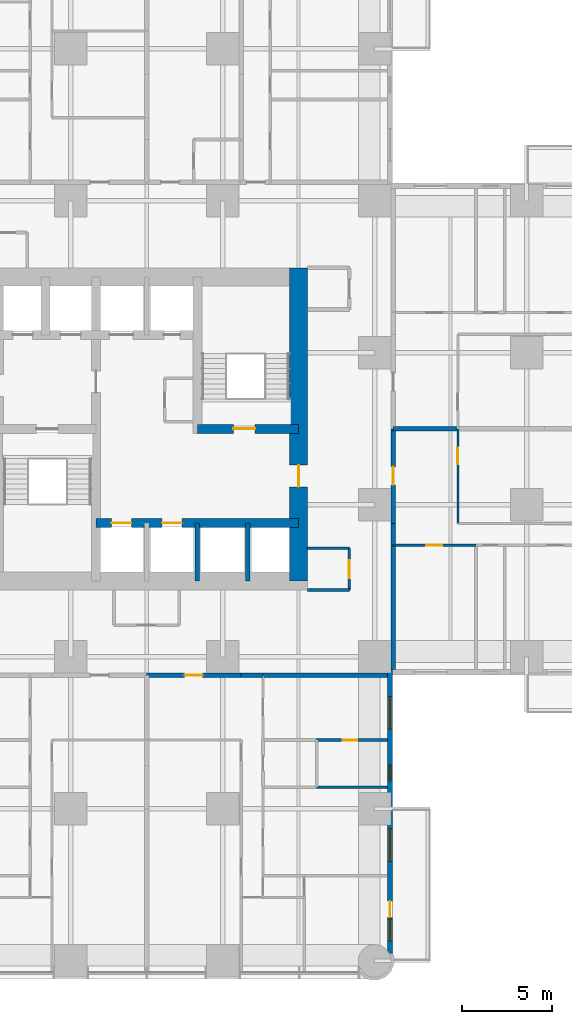
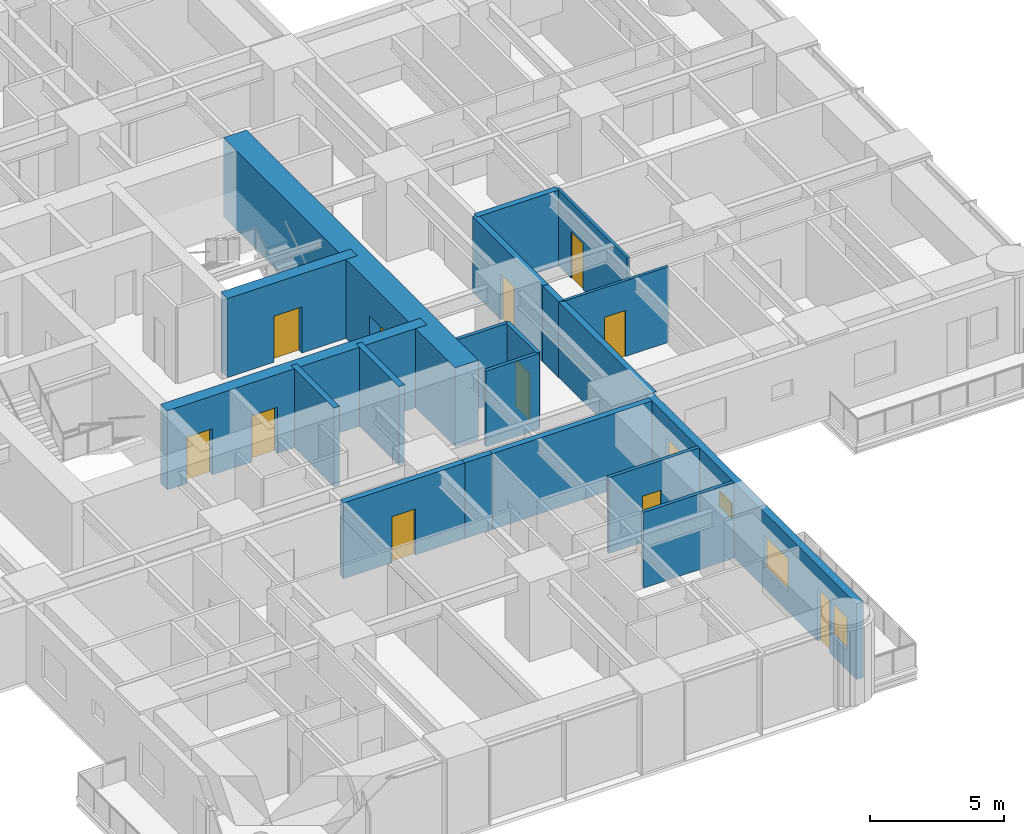
# One storey, part 10 of 17: 20 walls, 11 doors, 4 windows, 15 openings.
"""IFC4 building model written with IfcOpenShell, lengths in metres."""

from ifc_helpers import new_model, si_unit, direction, frame, frame_2d, origin, place, context, subcontext, project, spatial, rectangle, extrude, material, layer, layer_set, type_object, element, fill, save


model = new_model("IFC4")

# Units and contexts
model_context = context("Model", 3, precision=1e-05, world=origin(), true_north=direction((0.0, 1.0)))
body_context = subcontext(model_context, "Body", "Model", "MODEL_VIEW")
ifc_project = project(units=[si_unit("LENGTHUNIT", "METRE"), si_unit("AREAUNIT", "SQUARE_METRE"), si_unit("VOLUMEUNIT", "CUBIC_METRE"), si_unit("PLANEANGLEUNIT", "RADIAN"), si_unit("MASSUNIT", "GRAM", prefix="KILO")], contexts=[model_context])

# Site, building, storey
site_placement = place(None, origin())
site = spatial("IfcSite", under=ifc_project, at=site_placement, CompositionType="ELEMENT")
building_placement = place(site_placement, origin())
building = spatial("IfcBuilding", under=site, at=building_placement, Name="Torre Alcanfor", CompositionType="ELEMENT")
storey_placement = place(building_placement, frame((0.0, 0.0, 66.89990234375)))
storey = spatial("IfcBuildingStorey", under=building, at=storey_placement, Name="L16", CompositionType="ELEMENT", Elevation=66.89990234375)

# Wall, opening, door
ifc_material_1 = material(Name="Concrete block masonry, hollow blocks NMX-C-404 9 MPa", Category="masonry")
ifc_layer_1 = layer(ifc_material_1, 0.25)
ifc_layer_set_1 = layer_set([ifc_layer_1], Name="Apartment entrance wall 250 EI 60")
wall_type_1 = type_object("IfcWallType", Name="Apartment entrance wall 250 EI 60", PredefinedType="PARTITIONING", material=ifc_layer_set_1)
wall_1_placement = place(storey_placement, frame((43.02490234375, 29.39990234375, 0.0), z_axis=(0.0, 0.0, 1.0), x_axis=(0.0, -1.0, 0.0)))
wall_1 = element("IfcWall", 1, at=wall_1_placement, inside=storey, type_object=wall_type_1, Name="Partition L16-CORR / L16-E2-ZAG", PredefinedType="PARTITIONING", context=body_context, shape_type="SweptSolid", body=[
    extrude(rectangle(XDim=5.22900390625, YDim=0.25, at=frame_2d((2.614501953125, 0.0))), origin(), (0.0, 0.0, 1.0), 3.4501953125),
])
opening_1_placement = place(wall_1_placement, frame((2.10009765625, 0.0, 0.0)))
opening_1 = element("IfcOpeningElement", 2, at=opening_1_placement, cuts=wall_1, Name="Opening D-A1", PredefinedType="OPENING", context=body_context, shape_type="SweptSolid", body=[
    extrude(rectangle(XDim=1.0, YDim=2.10009765625, at=frame_2d((0.5, 1.050048828125))), frame((0.0, 0.135009765625, 0.0), z_axis=(0.0, -1.0, 0.0), x_axis=(1.0, 0.0, 0.0)), (0.0, 0.0, 1.0), 0.27001953125),
])
ifc_material_2 = material(Name="Galvanised steel sheet ASTM A653", Category="steel")
door_type_1 = type_object("IfcDoorType", Name="Apartment entrance door FD60 1000x2100", OperationType="SINGLE_SWING_LEFT", PredefinedType="DOOR", material=ifc_material_2)
door_1_placement = place(opening_1_placement, origin())
door_1 = element("IfcDoor", 3, at=door_1_placement, inside=storey, type_object=door_type_1, Name="Apartment entrance L16-E2", OperationType="SINGLE_SWING_LEFT", OverallHeight=2.10009765625, OverallWidth=1.0, PredefinedType="DOOR", context=body_context, shape_type="SweptSolid", body=[
    extrude(rectangle(XDim=1.0, YDim=2.10009765625, at=frame_2d((0.5, 1.050048828125))), frame((0.0, 0.02490234375, 0.0), z_axis=(0.0, -1.0, 0.0), x_axis=(1.0, 0.0, 0.0)), (0.0, 0.0, 1.0), 0.050048828125),
])
fill(opening_1, door_1)

# Walls
wall_2_placement = place(storey_placement, frame((43.02490234375, 24.1708984375, 0.0), z_axis=(0.0, 0.0, 1.0), x_axis=(0.0, -1.0, 0.0)))
element("IfcWall", 4, at=wall_2_placement, inside=storey, type_object=wall_type_1, Name="Partition L16-CORR / L16-E2-HALL", PredefinedType="PARTITIONING", context=body_context, shape_type="SweptSolid", body=[
    extrude(rectangle(XDim=1.199951171875, YDim=0.25, at=frame_2d((0.60009765625, 0.0))), origin(), (0.0, 0.0, 1.0), 3.4501953125),
])
wall_3_placement = place(storey_placement, frame((43.02490234375, 22.970947265625, 0.0), z_axis=(0.0, 0.0, 1.0), x_axis=(0.0, -1.0, 0.0)))
element("IfcWall", 5, at=wall_3_placement, inside=storey, type_object=wall_type_1, Name="Partition L16-CORR / L16-E2-BED3", PredefinedType="PARTITIONING", context=body_context, shape_type="SweptSolid", body=[
    extrude(rectangle(XDim=6.870849609375, YDim=0.25, at=frame_2d((3.435546875, 0.0))), origin(), (0.0, 0.0, 1.0), 3.4501953125),
])

# Wall, opening, door
wall_4_placement = place(storey_placement, frame((34.62890625, 15.77490234375, 0.0), z_axis=(0.0, 0.0, 1.0), x_axis=(-1.0, 0.0, 0.0)))
wall_4 = element("IfcWall", 6, at=wall_4_placement, inside=storey, type_object=wall_type_1, Name="Partition L16-CORR / L16-S1-ZAG", PredefinedType="PARTITIONING", context=body_context, shape_type="SweptSolid", body=[
    extrude(rectangle(XDim=5.22900390625, YDim=0.25, at=frame_2d((2.614501953125, 0.0))), origin(), (0.0, 0.0, 1.0), 3.4501953125),
])
opening_2_placement = place(wall_4_placement, frame((2.12890625, 0.0, 0.0)))
opening_2 = element("IfcOpeningElement", 7, at=opening_2_placement, cuts=wall_4, Name="Opening D-A1", PredefinedType="OPENING", context=body_context, shape_type="SweptSolid", body=[
    extrude(rectangle(XDim=1.0, YDim=2.10009765625, at=frame_2d((0.5, 1.050048828125))), frame((0.0, 0.135009765625, 0.0), z_axis=(0.0, -1.0, 0.0), x_axis=(1.0, 0.0, 0.0)), (0.0, 0.0, 1.0), 0.27001953125),
])
door_2_placement = place(opening_2_placement, origin())
door_2 = element("IfcDoor", 8, at=door_2_placement, inside=storey, type_object=door_type_1, Name="Apartment entrance L16-S1", OperationType="SINGLE_SWING_RIGHT", OverallHeight=2.10009765625, OverallWidth=1.0, PredefinedType="DOOR", context=body_context, shape_type="SweptSolid", body=[
    extrude(rectangle(XDim=1.0, YDim=2.10009765625, at=frame_2d((0.5, 1.050048828125))), frame((0.0, 0.02490234375, 0.0), z_axis=(0.0, -1.0, 0.0), x_axis=(1.0, 0.0, 0.0)), (0.0, 0.0, 1.0), 0.050048828125),
])
fill(opening_2, door_2)

# Walls
wall_5_placement = place(storey_placement, frame((35.8291015625, 15.77490234375, 0.0), z_axis=(0.0, 0.0, 1.0), x_axis=(-1.0, 0.0, 0.0)))
element("IfcWall", 9, at=wall_5_placement, inside=storey, type_object=wall_type_1, Name="Partition L16-CORR / L16-S1-HALL", PredefinedType="PARTITIONING", context=body_context, shape_type="SweptSolid", body=[
    extrude(rectangle(XDim=1.2001953125, YDim=0.25, at=frame_2d((0.60009765625, 0.0))), origin(), (0.0, 0.0, 1.0), 3.4501953125),
])
wall_6_placement = place(storey_placement, frame((42.699951171875, 15.77490234375, 0.0), z_axis=(0.0, 0.0, 1.0), x_axis=(-1.0, 0.0, 0.0)))
element("IfcWall", 10, at=wall_6_placement, inside=storey, type_object=wall_type_1, Name="Partition L16-CORR / L16-S1-SERV", PredefinedType="PARTITIONING", context=body_context, shape_type="SweptSolid", body=[
    extrude(rectangle(XDim=6.870849609375, YDim=0.25, at=frame_2d((3.435546875, 0.0))), origin(), (0.0, 0.0, 1.0), 3.4501953125),
])

# Wall, opening, door
ifc_material_3 = material(Name="Gypsum board on steel studs", Category="steel")
ifc_layer_2 = layer(ifc_material_3, 0.1201171875)
ifc_layer_set_2 = layer_set([ifc_layer_2], Name="Apartment partition 120")
wall_type_2 = type_object("IfcWallType", Name="Apartment partition 120", PredefinedType="PARTITIONING", material=ifc_layer_set_2)
wall_7_placement = place(storey_placement, frame((46.60009765625, 29.39990234375, 0.0), z_axis=(0.0, 0.0, 1.0), x_axis=(0.0, -1.0, 0.0)))
wall_7 = element("IfcWall", 11, at=wall_7_placement, inside=storey, type_object=wall_type_2, Name="Partition L16-E2-ZAG / L16-E2-KITCHEN", PredefinedType="PARTITIONING", context=body_context, shape_type="SweptSolid", body=[
    extrude(rectangle(XDim=5.22900390625, YDim=0.1201171875, at=frame_2d((2.614501953125, 0.0))), origin(), (0.0, 0.0, 1.0), 3.4501953125),
])
opening_3_placement = place(wall_7_placement, frame((1.050048828125, 0.0, 0.0)))
opening_3 = element("IfcOpeningElement", 12, at=opening_3_placement, cuts=wall_7, Name="Opening D-R1", PredefinedType="OPENING", context=body_context, shape_type="SweptSolid", body=[
    extrude(rectangle(XDim=0.89990234375, YDim=2.10009765625, at=frame_2d((0.449951171875, 1.050048828125))), frame((0.0, 0.070068359375, 0.0), z_axis=(0.0, -1.0, 0.0), x_axis=(1.0, 0.0, 0.0)), (0.0, 0.0, 1.0), 0.14013671875),
])
ifc_material_4 = material(Name="Timber", Category="wood")
door_type_2 = type_object("IfcDoorType", Name="Internal door 900x2100", OperationType="SINGLE_SWING_LEFT", PredefinedType="DOOR", material=ifc_material_4)
door_3_placement = place(opening_3_placement, origin())
door_3 = element("IfcDoor", 13, at=door_3_placement, inside=storey, type_object=door_type_2, Name="Door L16-E2 kitchen", OperationType="SINGLE_SWING_LEFT", OverallHeight=2.10009765625, OverallWidth=0.89990234375, PredefinedType="DOOR", context=body_context, shape_type="SweptSolid", body=[
    extrude(rectangle(XDim=0.89990234375, YDim=2.10009765625, at=frame_2d((0.449951171875, 1.050048828125))), frame((0.0, 0.02490234375, 0.0), z_axis=(0.0, -1.0, 0.0), x_axis=(1.0, 0.0, 0.0)), (0.0, 0.0, 1.0), 0.050048828125),
])
fill(opening_3, door_3)

wall_8_placement = place(storey_placement, frame((47.60009765625, 22.970947265625, 0.0), z_axis=(0.0, 0.0, 1.0), x_axis=(-1.0, 0.0, 0.0)))
wall_8 = element("IfcWall", 14, at=wall_8_placement, inside=storey, type_object=wall_type_2, Name="Partition L16-E2-HALL / L16-E2-BED3", PredefinedType="PARTITIONING", context=body_context, shape_type="SweptSolid", body=[
    extrude(rectangle(XDim=4.5751953125, YDim=0.1201171875, at=frame_2d((2.28759765625, 0.0))), origin(), (0.0, 0.0, 1.0), 3.4501953125),
])
opening_4_placement = place(wall_8_placement, frame((1.85009765625, 0.0, 0.0)))
opening_4 = element("IfcOpeningElement", 15, at=opening_4_placement, cuts=wall_8, Name="Opening D-R1", PredefinedType="OPENING", context=body_context, shape_type="SweptSolid", body=[
    extrude(rectangle(XDim=0.89990234375, YDim=2.10009765625, at=frame_2d((0.449951171875, 1.050048828125))), frame((0.0, 0.070068359375, 0.0), z_axis=(0.0, -1.0, 0.0), x_axis=(1.0, 0.0, 0.0)), (0.0, 0.0, 1.0), 0.14013671875),
])
door_4_placement = place(opening_4_placement, origin())
door_4 = element("IfcDoor", 16, at=door_4_placement, inside=storey, type_object=door_type_2, Name="Door L16-E2 bed3", OperationType="SINGLE_SWING_RIGHT", OverallHeight=2.10009765625, OverallWidth=0.89990234375, PredefinedType="DOOR", context=body_context, shape_type="SweptSolid", body=[
    extrude(rectangle(XDim=0.89990234375, YDim=2.10009765625, at=frame_2d((0.449951171875, 1.050048828125))), frame((0.0, 0.02490234375, 0.0), z_axis=(0.0, -1.0, 0.0), x_axis=(1.0, 0.0, 0.0)), (0.0, 0.0, 1.0), 0.050048828125),
])
fill(opening_4, door_4)

# Wall, openings, doors
ifc_material_5 = material(Name="Concrete f'c 70 MPa", Category="concrete")
ifc_layer_3 = layer(ifc_material_5, 0.5)
ifc_layer_set_3 = layer_set([ifc_layer_3], Name="Core inner wall 500 f'c70")
wall_type_3 = type_object("IfcWallType", Name="Core inner wall 500 f'c70", PredefinedType="SHEAR", material=ifc_layer_set_3)
wall_9_placement = place(storey_placement, frame((26.60009765625, 24.199951171875, 0.0), z_axis=(0.0, 0.0, 1.0), x_axis=(1.0, 0.0, 0.0)))
wall_9 = element("IfcWall", 17, at=wall_9_placement, inside=storey, type_object=wall_type_3, Name="Core wall Y242 L16", PredefinedType="SHEAR", context=body_context, shape_type="SweptSolid", body=[
    extrude(rectangle(XDim=11.199951171875, YDim=0.5, at=frame_2d((5.60009765625, 0.0))), origin(), (0.0, 0.0, 1.0), 3.60009765625),
])
opening_5_placement = place(wall_9_placement, frame((0.85009765625, 0.0, 0.0)))
opening_5 = element("IfcOpeningElement", 18, at=opening_5_placement, cuts=wall_9, Name="Opening LD1", PredefinedType="OPENING", context=body_context, shape_type="SweptSolid", body=[
    extrude(rectangle(XDim=1.10009765625, YDim=2.10009765625, at=frame_2d((0.550048828125, 1.050048828125))), frame((0.0, 0.260009765625, 0.0), z_axis=(0.0, -1.0, 0.0), x_axis=(1.0, 0.0, 0.0)), (0.0, 0.0, 1.0), 0.52001953125),
])
opening_6_placement = place(wall_9_placement, frame((3.64990234375, 0.0, 0.0)))
opening_6 = element("IfcOpeningElement", 19, at=opening_6_placement, cuts=wall_9, Name="Opening LD1", PredefinedType="OPENING", context=body_context, shape_type="SweptSolid", body=[
    extrude(rectangle(XDim=1.10009765625, YDim=2.10009765625, at=frame_2d((0.550048828125, 1.050048828125))), frame((0.0, 0.260009765625, 0.0), z_axis=(0.0, -1.0, 0.0), x_axis=(1.0, 0.0, 0.0)), (0.0, 0.0, 1.0), 0.52001953125),
])
ifc_material_6 = material(Name="Galvanised steel sheet ASTM A653", Category="steel")
door_type_3 = type_object("IfcDoorType", Name="Lift landing door 1100x2100", OperationType="DOUBLE_DOOR_SLIDING", PredefinedType="DOOR", material=ifc_material_6)
door_5_placement = place(opening_5_placement, origin())
door_5 = element("IfcDoor", 20, at=door_5_placement, inside=storey, type_object=door_type_3, Name="Lift landing door PA1 L16", OperationType="DOUBLE_DOOR_SLIDING", OverallHeight=2.10009765625, OverallWidth=1.10009765625, PredefinedType="DOOR", context=body_context, shape_type="SweptSolid", body=[
    extrude(rectangle(XDim=1.10009765625, YDim=2.10009765625, at=frame_2d((0.550048828125, 1.050048828125))), frame((0.0, 0.02490234375, 0.0), z_axis=(0.0, -1.0, 0.0), x_axis=(1.0, 0.0, 0.0)), (0.0, 0.0, 1.0), 0.050048828125),
])
fill(opening_5, door_5)
door_6_placement = place(opening_6_placement, origin())
door_6 = element("IfcDoor", 21, at=door_6_placement, inside=storey, type_object=door_type_3, Name="Lift landing door PA2 L16", OperationType="DOUBLE_DOOR_SLIDING", OverallHeight=2.10009765625, OverallWidth=1.10009765625, PredefinedType="DOOR", context=body_context, shape_type="SweptSolid", body=[
    extrude(rectangle(XDim=1.10009765625, YDim=2.10009765625, at=frame_2d((0.550048828125, 1.050048828125))), frame((0.0, 0.02490234375, 0.0), z_axis=(0.0, -1.0, 0.0), x_axis=(1.0, 0.0, 0.0)), (0.0, 0.0, 1.0), 0.050048828125),
])
fill(opening_6, door_6)

# Wall, opening, door
wall_10_placement = place(storey_placement, frame((32.199951171875, 29.39990234375, 0.0), z_axis=(0.0, 0.0, 1.0), x_axis=(1.0, 0.0, 0.0)))
wall_10 = element("IfcWall", 22, at=wall_10_placement, inside=storey, type_object=wall_type_3, Name="Core wall Y294E L16", PredefinedType="SHEAR", context=body_context, shape_type="SweptSolid", body=[
    extrude(rectangle(XDim=5.60009765625, YDim=0.5, at=frame_2d((2.800048828125, 0.0))), origin(), (0.0, 0.0, 1.0), 3.60009765625),
])
opening_7_placement = place(wall_10_placement, frame((2.0, 0.0, 0.0)))
opening_7 = element("IfcOpeningElement", 23, at=opening_7_placement, cuts=wall_10, Name="Opening D-S2", PredefinedType="OPENING", context=body_context, shape_type="SweptSolid", body=[
    extrude(rectangle(XDim=1.199951171875, YDim=2.10009765625, at=frame_2d((0.60009765625, 1.050048828125))), frame((0.0, 0.260009765625, 0.0), z_axis=(0.0, -1.0, 0.0), x_axis=(1.0, 0.0, 0.0)), (0.0, 0.0, 1.0), 0.52001953125),
])
ifc_material_7 = material(Name="Galvanised steel sheet ASTM A653", Category="steel")
door_type_4 = type_object("IfcDoorType", Name="Stair enclosure door FD120 1200x2100", OperationType="SINGLE_SWING_LEFT", PredefinedType="DOOR", material=ifc_material_7)
door_7_placement = place(opening_7_placement, origin())
door_7 = element("IfcDoor", 24, at=door_7_placement, inside=storey, type_object=door_type_4, Name="Stair S2 door L16", OperationType="SINGLE_SWING_LEFT", OverallHeight=2.10009765625, OverallWidth=1.199951171875, PredefinedType="DOOR", context=body_context, shape_type="SweptSolid", body=[
    extrude(rectangle(XDim=1.199951171875, YDim=2.10009765625, at=frame_2d((0.60009765625, 1.050048828125))), frame((0.0, 0.02490234375, 0.0), z_axis=(0.0, -1.0, 0.0), x_axis=(1.0, 0.0, 0.0)), (0.0, 0.0, 1.0), 0.050048828125),
])
fill(opening_7, door_7)

# Walls
ifc_material_8 = material(Name="Concrete f'c 70 MPa", Category="concrete")
ifc_layer_4 = layer(ifc_material_8, 0.25)
ifc_layer_set_4 = layer_set([ifc_layer_4], Name="Core shaft wall 250 f'c70")
wall_type_4 = type_object("IfcWallType", Name="Core shaft wall 250 f'c70", PredefinedType="SHEAR", material=ifc_layer_set_4)
for number, where, z_axis, x_axis, name in (
    (25, (32.199951171875, 21.0, 0.0), (0.0, 0.0, 1.0), (0.0, 1.0, 0.0), "Core wall X322S L16"),
    (26, (35.0, 21.0, 0.0), (0.0, 0.0, 1.0), (0.0, 1.0, 0.0), "Core wall X350S L16"),
):
    element("IfcWall", number, at=place(storey_placement, frame(where, z_axis=z_axis, x_axis=x_axis)), inside=storey, type_object=wall_type_4, Name=name, PredefinedType="SHEAR", context=body_context, shape_type="SweptSolid", body=[
        extrude(rectangle(XDim=3.199951171875, YDim=0.25, at=frame_2d((1.60009765625, 0.0))), origin(), (0.0, 0.0, 1.0), 3.60009765625),
    ])

# Wall, opening, door
ifc_material_9 = material(Name="Concrete f'c 70 MPa", Category="concrete")
ifc_layer_5 = layer(ifc_material_9, 1.0)
ifc_layer_set_5 = layer_set([ifc_layer_5], Name="Core wall 1000 f'c70")
wall_type_5 = type_object("IfcWallType", Name="Core wall 1000 f'c70", PredefinedType="SHEAR", material=ifc_layer_set_5)
wall_11_placement = place(storey_placement, frame((37.800048828125, 21.0, 0.0), z_axis=(0.0, 0.0, 1.0), x_axis=(0.0, 1.0, 0.0)))
wall_11 = element("IfcWall", 27, at=wall_11_placement, inside=storey, type_object=wall_type_5, Name="Core wall OUT-E L16", PredefinedType="SHEAR", context=body_context, shape_type="SweptSolid", body=[
    extrude(rectangle(XDim=17.300048828125, YDim=1.0, at=frame_2d((8.64990234375, 0.0))), origin(), (0.0, 0.0, 1.0), 3.60009765625),
])
opening_8_placement = place(wall_11_placement, frame((5.199951171875, 0.0, 0.0)))
opening_8 = element("IfcOpeningElement", 28, at=opening_8_placement, cuts=wall_11, Name="Opening D-L1", PredefinedType="OPENING", context=body_context, shape_type="SweptSolid", body=[
    extrude(rectangle(XDim=1.199951171875, YDim=2.10009765625, at=frame_2d((0.60009765625, 1.050048828125))), frame((0.0, 0.510009765625, 0.0), z_axis=(0.0, -1.0, 0.0), x_axis=(1.0, 0.0, 0.0)), (0.0, 0.0, 1.0), 1.02001953125),
])
ifc_material_10 = material(Name="Galvanised steel sheet ASTM A653", Category="steel")
door_type_5 = type_object("IfcDoorType", Name="Lobby door FD120 1200x2100", OperationType="SINGLE_SWING_LEFT", PredefinedType="DOOR", material=ifc_material_10)
door_8_placement = place(opening_8_placement, origin())
door_8 = element("IfcDoor", 29, at=door_8_placement, inside=storey, type_object=door_type_5, Name="Lift lobby entrance door L16", OperationType="SINGLE_SWING_LEFT", OverallHeight=2.10009765625, OverallWidth=1.199951171875, PredefinedType="DOOR", context=body_context, shape_type="SweptSolid", body=[
    extrude(rectangle(XDim=1.199951171875, YDim=2.10009765625, at=frame_2d((0.60009765625, 1.050048828125))), frame((0.0, 0.02490234375, 0.0), z_axis=(0.0, -1.0, 0.0), x_axis=(1.0, 0.0, 0.0)), (0.0, 0.0, 1.0), 0.050048828125),
])
fill(opening_8, door_8)

# Wall, openings, door, windows
ifc_material_11 = material(Name="Limestone cladding", Category="masonry")
ifc_layer_6 = layer(ifc_material_11, 0.0400390625, Name="Facing")
ifc_material_12 = material(Name="Ventilated air cavity")
ifc_layer_7 = layer(ifc_material_12, 0.02001953125, ventilated=True, Name="Ventilated joint")
ifc_material_13 = material(Name="Mineral wool insulation", Category="insulation")
ifc_layer_8 = layer(ifc_material_13, 0.10009765625, Name="Insulation")
ifc_material_14 = material(Name="Concrete f'c 35 MPa", Category="concrete")
ifc_layer_9 = layer(ifc_material_14, 0.139892578125, Name="Backing")
ifc_layer_set_6 = layer_set([ifc_layer_6, ifc_layer_7, ifc_layer_8, ifc_layer_9], Name="External wall stone-clad 300")
wall_type_6 = type_object("IfcWallType", Name="External wall stone-clad 300", PredefinedType="SOLIDWALL", material=ifc_layer_set_6)
wall_12_placement = place(storey_placement, frame((42.85009765625, 0.39990234375, 0.0), z_axis=(0.0, 0.0, 1.0), x_axis=(0.0, 1.0, 0.0)))
wall_12 = element("IfcWall", 30, at=wall_12_placement, inside=storey, type_object=wall_type_6, Name="External wall L16 6", PredefinedType="SOLIDWALL", context=body_context, shape_type="SweptSolid", body=[
    extrude(rectangle(XDim=15.7001953125, YDim=0.300048828125, at=frame_2d((7.85009765625, 0.0))), origin(), (0.0, 0.0, 1.0), 3.4501953125),
])
opening_9_placement = place(wall_12_placement, frame((12.39990234375, 0.0, 0.89990234375)))
opening_9 = element("IfcOpeningElement", 31, at=opening_9_placement, cuts=wall_12, Name="Opening W2", PredefinedType="OPENING", context=body_context, shape_type="SweptSolid", body=[
    extrude(rectangle(XDim=1.800048828125, YDim=1.5, at=frame_2d((0.89990234375, 0.75))), frame((0.0, 0.159912109375, 0.0), z_axis=(0.0, -1.0, 0.0), x_axis=(1.0, 0.0, 0.0)), (0.0, 0.0, 1.0), 0.320068359375),
])
opening_10_placement = place(wall_12_placement, frame((9.550048828125, 0.0, 1.5)))
opening_10 = element("IfcOpeningElement", 32, at=opening_10_placement, cuts=wall_12, Name="Opening W3", PredefinedType="OPENING", context=body_context, shape_type="SweptSolid", body=[
    extrude(rectangle(XDim=0.89990234375, YDim=0.699951171875, at=frame_2d((0.449951171875, 0.35009765625))), frame((0.0, 0.159912109375, 0.0), z_axis=(0.0, -1.0, 0.0), x_axis=(1.0, 0.0, 0.0)), (0.0, 0.0, 1.0), 0.320068359375),
])
opening_11_placement = place(wall_12_placement, frame((5.10009765625, 0.0, 0.89990234375)))
opening_11 = element("IfcOpeningElement", 33, at=opening_11_placement, cuts=wall_12, Name="Opening W2", PredefinedType="OPENING", context=body_context, shape_type="SweptSolid", body=[
    extrude(rectangle(XDim=1.800048828125, YDim=1.5, at=frame_2d((0.89990234375, 0.75))), frame((0.0, 0.159912109375, 0.0), z_axis=(0.0, -1.0, 0.0), x_axis=(1.0, 0.0, 0.0)), (0.0, 0.0, 1.0), 0.320068359375),
])
opening_12_placement = place(wall_12_placement, frame((2.0, 0.0, 0.0)))
opening_12 = element("IfcOpeningElement", 34, at=opening_12_placement, cuts=wall_12, Name="Opening D-B1", PredefinedType="OPENING", context=body_context, shape_type="SweptSolid", body=[
    extrude(rectangle(XDim=0.89990234375, YDim=2.39990234375, at=frame_2d((0.449951171875, 1.199951171875))), frame((0.0, 0.159912109375, 0.0), z_axis=(0.0, -1.0, 0.0), x_axis=(1.0, 0.0, 0.0)), (0.0, 0.0, 1.0), 0.320068359375),
])
opening_13_placement = place(wall_12_placement, frame((0.699951171875, 0.0, 0.89990234375)))
opening_13 = element("IfcOpeningElement", 35, at=opening_13_placement, cuts=wall_12, Name="Opening W4", PredefinedType="OPENING", context=body_context, shape_type="SweptSolid", body=[
    extrude(rectangle(XDim=1.199951171875, YDim=1.5, at=frame_2d((0.60009765625, 0.75))), frame((0.0, 0.159912109375, 0.0), z_axis=(0.0, -1.0, 0.0), x_axis=(1.0, 0.0, 0.0)), (0.0, 0.0, 1.0), 0.320068359375),
])
ifc_material_15 = material(Name="Aluminium and glass", Category="aluminium")
door_type_6 = type_object("IfcDoorType", Name="Balcony door glazed 900x2400", OperationType="SINGLE_SWING_LEFT", PredefinedType="DOOR", material=ifc_material_15)
door_9_placement = place(opening_12_placement, origin())
door_9 = element("IfcDoor", 36, at=door_9_placement, inside=storey, type_object=door_type_6, Name="Balcony door L16-S1", OperationType="SINGLE_SWING_RIGHT", OverallHeight=2.39990234375, OverallWidth=0.89990234375, PredefinedType="DOOR", context=body_context, shape_type="SweptSolid", body=[
    extrude(rectangle(XDim=0.89990234375, YDim=2.39990234375, at=frame_2d((0.449951171875, 1.199951171875))), frame((0.0, 0.02490234375, 0.0), z_axis=(0.0, -1.0, 0.0), x_axis=(1.0, 0.0, 0.0)), (0.0, 0.0, 1.0), 0.050048828125),
])
fill(opening_12, door_9)
ifc_material_16 = material(Name="Aluminium frame with clear double glazing", Category="aluminium")
window_type_1 = type_object("IfcWindowType", Name="Window bathroom 900x700", PartitioningType="SINGLE_PANEL", PredefinedType="WINDOW", material=ifc_material_16)
window_1_placement = place(opening_10_placement, origin())
window_1 = element("IfcWindow", 37, at=window_1_placement, inside=storey, type_object=window_type_1, Name="Window W3 L16-S1", OverallHeight=0.699951171875, OverallWidth=0.89990234375, PartitioningType="SINGLE_PANEL", PredefinedType="WINDOW", context=body_context, shape_type="SweptSolid", body=[
    extrude(rectangle(XDim=0.89990234375, YDim=0.699951171875, at=frame_2d((0.449951171875, 0.35009765625))), frame((0.0, 0.030029296875, 0.0), z_axis=(0.0, -1.0, 0.0), x_axis=(1.0, 0.0, 0.0)), (0.0, 0.0, 1.0), 0.06005859375),
])
fill(opening_10, window_1)
ifc_material_17 = material(Name="Aluminium frame with clear double glazing", Category="aluminium")
window_type_2 = type_object("IfcWindowType", Name="Window bedroom 1200x1500", PartitioningType="SINGLE_PANEL", PredefinedType="WINDOW", material=ifc_material_17)
window_2_placement = place(opening_13_placement, origin())
window_2 = element("IfcWindow", 38, at=window_2_placement, inside=storey, type_object=window_type_2, Name="Window W4 L16-S1", OverallHeight=1.5, OverallWidth=1.199951171875, PartitioningType="SINGLE_PANEL", PredefinedType="WINDOW", context=body_context, shape_type="SweptSolid", body=[
    extrude(rectangle(XDim=1.199951171875, YDim=1.5, at=frame_2d((0.60009765625, 0.75))), frame((0.0, 0.030029296875, 0.0), z_axis=(0.0, -1.0, 0.0), x_axis=(1.0, 0.0, 0.0)), (0.0, 0.0, 1.0), 0.06005859375),
])
fill(opening_13, window_2)
ifc_material_18 = material(Name="Aluminium frame with clear double glazing", Category="aluminium")
window_type_3 = type_object("IfcWindowType", Name="Window bedroom 1800x1500", PartitioningType="SINGLE_PANEL", PredefinedType="WINDOW", material=ifc_material_18)
window_3_placement = place(opening_9_placement, origin())
window_3 = element("IfcWindow", 39, at=window_3_placement, inside=storey, type_object=window_type_3, Name="Window W2 L16-S1", OverallHeight=1.5, OverallWidth=1.800048828125, PartitioningType="SINGLE_PANEL", PredefinedType="WINDOW", context=body_context, shape_type="SweptSolid", body=[
    extrude(rectangle(XDim=1.800048828125, YDim=1.5, at=frame_2d((0.89990234375, 0.75))), frame((0.0, 0.030029296875, 0.0), z_axis=(0.0, -1.0, 0.0), x_axis=(1.0, 0.0, 0.0)), (0.0, 0.0, 1.0), 0.06005859375),
])
fill(opening_9, window_3)
window_4_placement = place(opening_11_placement, origin())
window_4 = element("IfcWindow", 40, at=window_4_placement, inside=storey, type_object=window_type_3, Name="Window W2 L16-S1", OverallHeight=1.5, OverallWidth=1.800048828125, PartitioningType="SINGLE_PANEL", PredefinedType="WINDOW", context=body_context, shape_type="SweptSolid", body=[
    extrude(rectangle(XDim=1.800048828125, YDim=1.5, at=frame_2d((0.89990234375, 0.75))), frame((0.0, 0.030029296875, 0.0), z_axis=(0.0, -1.0, 0.0), x_axis=(1.0, 0.0, 0.0)), (0.0, 0.0, 1.0), 0.06005859375),
])
fill(opening_11, window_4)

# Walls
ifc_material_19 = material(Name="Concrete block masonry, hollow blocks NMX-C-404 9 MPa", Category="masonry")
ifc_layer_10 = layer(ifc_material_19, 0.25)
ifc_layer_set_7 = layer_set([ifc_layer_10], Name="Party wall 250 EI 60")
wall_type_7 = type_object("IfcWallType", Name="Party wall 250 EI 60", PredefinedType="PARTITIONING", material=ifc_layer_set_7)
wall_13_placement = place(storey_placement, frame((43.02490234375, 29.39990234375, 0.0), z_axis=(0.0, 0.0, 1.0), x_axis=(1.0, 0.0, 0.0)))
element("IfcWall", 41, at=wall_13_placement, inside=storey, type_object=wall_type_7, Name="Partition L16-E1-ZAG / L16-E2-ZAG", PredefinedType="PARTITIONING", context=body_context, shape_type="SweptSolid", body=[
    extrude(rectangle(XDim=3.5751953125, YDim=0.25, at=frame_2d((1.78759765625, 0.0))), origin(), (0.0, 0.0, 1.0), 3.4501953125),
])
ifc_material_20 = material(Name="Concrete block masonry, hollow blocks NMX-C-404 9 MPa", Category="masonry")
ifc_layer_11 = layer(ifc_material_20, 0.14990234375)
ifc_layer_set_8 = layer_set([ifc_layer_11], Name="Residents' room partition 150")
wall_type_8 = type_object("IfcWallType", Name="Residents' room partition 150", PredefinedType="PARTITIONING", material=ifc_layer_set_8)
wall_14_placement = place(storey_placement, frame((38.300048828125, 20.5, 0.0), z_axis=(0.0, 0.0, 1.0), x_axis=(1.0, 0.0, 0.0)))
element("IfcWall", 42, at=wall_14_placement, inside=storey, type_object=wall_type_8, Name="Partition L16-CORR / L16-G02", PredefinedType="PARTITIONING", context=body_context, shape_type="SweptSolid", body=[
    extrude(rectangle(XDim=2.300048828125, YDim=0.14990234375, at=frame_2d((1.14990234375, 0.0))), origin(), (0.0, 0.0, 1.0), 3.4501953125),
])

# Wall, opening, door
wall_15_placement = place(storey_placement, frame((40.60009765625, 20.5, 0.0), z_axis=(0.0, 0.0, 1.0), x_axis=(0.0, 1.0, 0.0)))
wall_15 = element("IfcWall", 43, at=wall_15_placement, inside=storey, type_object=wall_type_8, Name="Partition L16-CORR / L16-G02", PredefinedType="PARTITIONING", context=body_context, shape_type="SweptSolid", body=[
    extrude(rectangle(XDim=2.300048828125, YDim=0.14990234375, at=frame_2d((1.14990234375, 0.0))), origin(), (0.0, 0.0, 1.0), 3.4501953125),
])
opening_14_placement = place(wall_15_placement, frame((0.64990234375, 0.0, 0.0)))
opening_14 = element("IfcOpeningElement", 44, at=opening_14_placement, cuts=wall_15, Name="Opening D-M1", PredefinedType="OPENING", context=body_context, shape_type="SweptSolid", body=[
    extrude(rectangle(XDim=1.0, YDim=2.10009765625, at=frame_2d((0.5, 1.050048828125))), frame((0.0, 0.0849609375, 0.0), z_axis=(0.0, -1.0, 0.0), x_axis=(1.0, 0.0, 0.0)), (0.0, 0.0, 1.0), 0.169921875),
])
ifc_material_21 = material(Name="Timber", Category="wood")
door_type_7 = type_object("IfcDoorType", Name="Residents' room door 1000x2100", OperationType="SINGLE_SWING_LEFT", PredefinedType="DOOR", material=ifc_material_21)
door_10_placement = place(opening_14_placement, origin())
door_10 = element("IfcDoor", 45, at=door_10_placement, inside=storey, type_object=door_type_7, Name="Door L16-G02 bicycle store", OperationType="SINGLE_SWING_LEFT", OverallHeight=2.10009765625, OverallWidth=1.0, PredefinedType="DOOR", context=body_context, shape_type="SweptSolid", body=[
    extrude(rectangle(XDim=1.0, YDim=2.10009765625, at=frame_2d((0.5, 1.050048828125))), frame((0.0, 0.02490234375, 0.0), z_axis=(0.0, -1.0, 0.0), x_axis=(1.0, 0.0, 0.0)), (0.0, 0.0, 1.0), 0.050048828125),
])
fill(opening_14, door_10)

# Wall
wall_16_placement = place(storey_placement, frame((40.60009765625, 22.800048828125, 0.0), z_axis=(0.0, 0.0, 1.0), x_axis=(-1.0, 0.0, 0.0)))
element("IfcWall", 46, at=wall_16_placement, inside=storey, type_object=wall_type_8, Name="Partition L16-CORR / L16-G02", PredefinedType="PARTITIONING", context=body_context, shape_type="SweptSolid", body=[
    extrude(rectangle(XDim=2.300048828125, YDim=0.14990234375, at=frame_2d((1.14990234375, 0.0))), origin(), (0.0, 0.0, 1.0), 3.4501953125),
])

# Wall, opening, door
ifc_material_22 = material(Name="Cement board on steel studs", Category="steel")
ifc_layer_12 = layer(ifc_material_22, 0.14990234375)
ifc_layer_set_9 = layer_set([ifc_layer_12], Name="Wet area partition 150")
wall_type_9 = type_object("IfcWallType", Name="Wet area partition 150", PredefinedType="PARTITIONING", material=ifc_layer_set_9)
wall_17_placement = place(storey_placement, frame((38.800048828125, 12.199951171875, 0.0), z_axis=(0.0, 0.0, 1.0), x_axis=(1.0, 0.0, 0.0)))
wall_17 = element("IfcWall", 47, at=wall_17_placement, inside=storey, type_object=wall_type_9, Name="Partition L16-S1-SERV / L16-S1-SBATH", PredefinedType="PARTITIONING", context=body_context, shape_type="SweptSolid", body=[
    extrude(rectangle(XDim=3.89990234375, YDim=0.14990234375, at=frame_2d((1.949951171875, 0.0))), origin(), (0.0, 0.0, 1.0), 3.4501953125),
])
opening_15_placement = place(wall_17_placement, frame((1.449951171875, 0.0, 0.0)))
opening_15 = element("IfcOpeningElement", 48, at=opening_15_placement, cuts=wall_17, Name="Opening D-R2", PredefinedType="OPENING", context=body_context, shape_type="SweptSolid", body=[
    extrude(rectangle(XDim=0.800048828125, YDim=2.10009765625, at=frame_2d((0.39990234375, 1.050048828125))), frame((0.0, 0.0849609375, 0.0), z_axis=(0.0, -1.0, 0.0), x_axis=(1.0, 0.0, 0.0)), (0.0, 0.0, 1.0), 0.169921875),
])
ifc_material_23 = material(Name="Timber", Category="wood")
door_type_8 = type_object("IfcDoorType", Name="Bathroom door 800x2100", OperationType="SINGLE_SWING_LEFT", PredefinedType="DOOR", material=ifc_material_23)
door_11_placement = place(opening_15_placement, frame((0.800048828125, 0.0, 0.0), z_axis=(0.0, 0.0, 1.0), x_axis=(-1.0, 0.0, 0.0)))
door_11 = element("IfcDoor", 49, at=door_11_placement, inside=storey, type_object=door_type_8, Name="Door L16-S1 sbath", OperationType="SINGLE_SWING_RIGHT", OverallHeight=2.10009765625, OverallWidth=0.800048828125, PredefinedType="DOOR", context=body_context, shape_type="SweptSolid", body=[
    extrude(rectangle(XDim=0.800048828125, YDim=2.10009765625, at=frame_2d((0.400146484375, 1.050048828125))), frame((0.0, 0.025146484375, 0.0), z_axis=(0.0, -1.0, 0.0), x_axis=(1.0, 0.0, 0.0)), (0.0, 0.0, 1.0), 0.050048828125),
])
fill(opening_15, door_11)

# Wall
wall_18_placement = place(storey_placement, frame((38.800048828125, 9.60009765625, 0.0), z_axis=(0.0, 0.0, 1.0), x_axis=(1.0, 0.0, 0.0)))
element("IfcWall", 50, at=wall_18_placement, inside=storey, type_object=wall_type_9, Name="Partition L16-S1-SBATH / L16-S1-BED3", PredefinedType="PARTITIONING", context=body_context, shape_type="SweptSolid", body=[
    extrude(rectangle(XDim=3.89990234375, YDim=0.14990234375, at=frame_2d((1.949951171875, 0.0))), origin(), (0.0, 0.0, 1.0), 3.4501953125),
])

save(model, "model.ifc")
